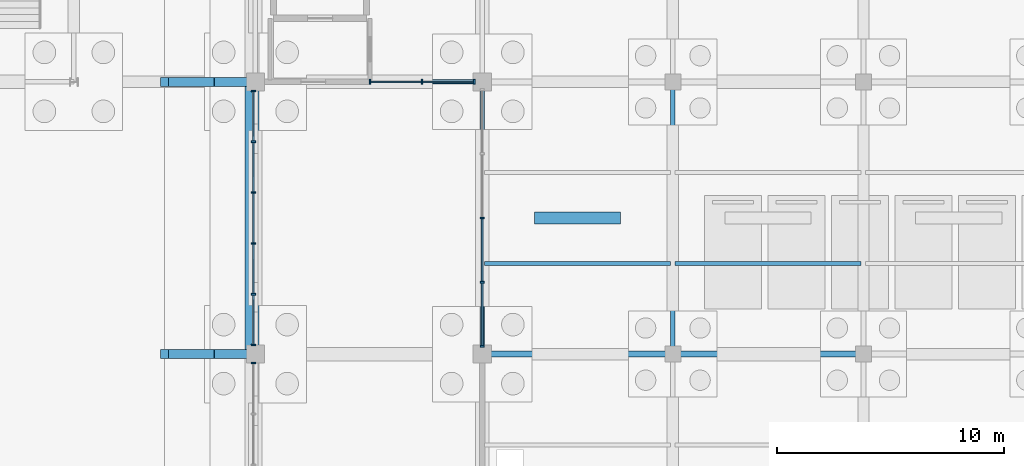
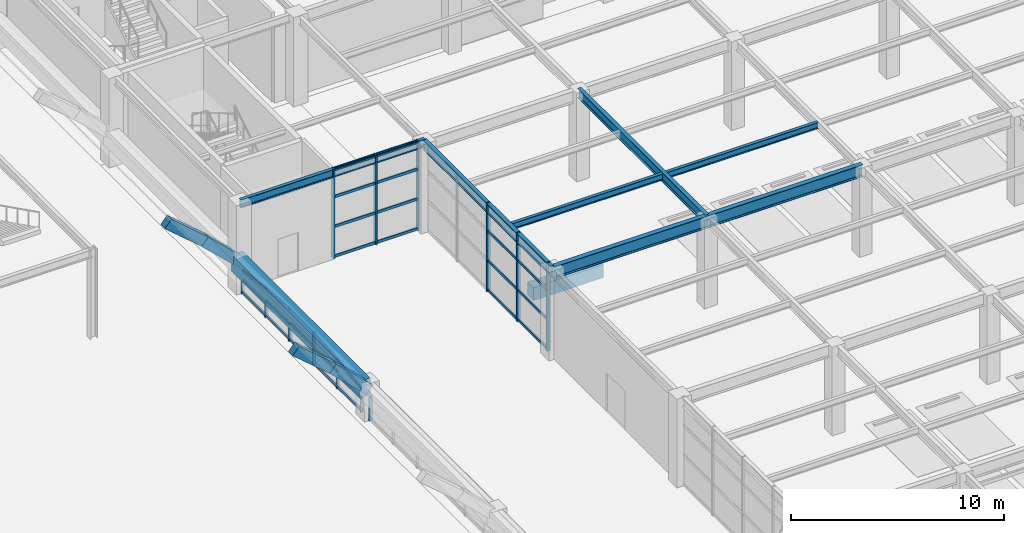
# One storey, part 58 of 129: 44 members, 13 beams, 4 elements without a shape of their own.
"""IFC4 building model written with IfcOpenShell, lengths in metres."""

from ifc_helpers import new_model, si_unit, direction, frame, origin, origin_2d, place, context, subcontext, project, spatial, rectangle, i_section, extrude, material, layer, layer_set, material_profile, profile_set, type_object, element, aggregate, save


model = new_model("IFC4")

# Units and contexts
model_context = context("Model", 3, precision=1e-05, world=origin(), true_north=direction((0.0, 1.0)))
body_context = subcontext(model_context, "Body", "Model", "MODEL_VIEW")
ifc_project = project(units=[si_unit("LENGTHUNIT", "METRE"), si_unit("AREAUNIT", "SQUARE_METRE"), si_unit("VOLUMEUNIT", "CUBIC_METRE"), si_unit("PLANEANGLEUNIT", "RADIAN"), si_unit("MASSUNIT", "GRAM", prefix="KILO")], contexts=[model_context])

# Site, building, storey
site_placement = place(None, origin())
site = spatial("IfcSite", under=ifc_project, at=site_placement, CompositionType="ELEMENT")
building_placement = place(site_placement, origin())
building = spatial("IfcBuilding", under=site, at=building_placement, Name="Sitalva Quay Ferry Terminal", CompositionType="ELEMENT")
storey_placement = place(building_placement, origin())
storey = spatial("IfcBuildingStorey", under=building, at=storey_placement, Name="L01", CompositionType="ELEMENT", Elevation=0.0)

# Beams
ifc_material_1 = material(Name="Concrete C40/50", Category="concrete")
ifc_material_profile_1 = material_profile(ifc_material_1, rectangle(XDim=0.39990234375, YDim=0.550048828125, at=origin_2d()), Name="RC400x550")
ifc_profile_set_1 = profile_set([ifc_material_profile_1], Name="Concrete C40/50")
beam_type_1 = type_object("IfcBeamType", Name="Beam_Arch_RC400x550", PredefinedType="BEAM", material=ifc_profile_set_1)
beam_1_placement = place(storey_placement, frame((70.0, 54.0, 5.219482421875), z_axis=(0.760297282494, 0.0, -0.649575278342), x_axis=(0.0, 1.0, 0.0)))
element("IfcBeam", 1, at=beam_1_placement, inside=storey, type_object=beam_type_1, Name="Vault V1 transverse arch rib 5.15", PredefinedType="BEAM", context=body_context, shape_type="SweptSolid", body=[
    extrude(rectangle(XDim=0.39990234375, YDim=0.550048828125, at=origin_2d()), origin(), (0.0, 0.0, 1.0), 2.630615234375),
])
beam_2_placement = place(storey_placement, frame((72.0, 54.0, 3.500732421875), z_axis=(0.725680279623, 0.0, -0.688032071757), x_axis=(0.0, 1.0, 0.0)))
element("IfcBeam", 2, at=beam_2_placement, inside=storey, type_object=beam_type_1, Name="Vault V1 transverse arch rib 5.16", PredefinedType="BEAM", context=body_context, shape_type="SweptSolid", body=[
    extrude(rectangle(XDim=0.39990234375, YDim=0.550048828125, at=origin_2d()), origin(), (0.0, 0.0, 1.0), 2.756103515625),
])
beam_3_placement = place(storey_placement, frame((70.0, 66.0, 5.219482421875), z_axis=(0.760297282494, 0.0, -0.649575278342), x_axis=(0.0, 1.0, 0.0)))
element("IfcBeam", 3, at=beam_3_placement, inside=storey, type_object=beam_type_1, Name="Vault V1 transverse arch rib 6.15", PredefinedType="BEAM", context=body_context, shape_type="SweptSolid", body=[
    extrude(rectangle(XDim=0.39990234375, YDim=0.550048828125, at=origin_2d()), origin(), (0.0, 0.0, 1.0), 2.630615234375),
])
beam_4_placement = place(storey_placement, frame((72.0, 66.0, 3.500732421875), z_axis=(0.725680279623, 0.0, -0.688032071757), x_axis=(0.0, 1.0, 0.0)))
element("IfcBeam", 4, at=beam_4_placement, inside=storey, type_object=beam_type_1, Name="Vault V1 transverse arch rib 6.16", PredefinedType="BEAM", context=body_context, shape_type="SweptSolid", body=[
    extrude(rectangle(XDim=0.39990234375, YDim=0.550048828125, at=origin_2d()), origin(), (0.0, 0.0, 1.0), 2.756103515625),
])
ifc_material_2 = material(Name="Concrete C40/50", Category="concrete")
ifc_material_profile_2 = material_profile(ifc_material_2, rectangle(XDim=0.60009765625, YDim=0.949951171875, at=origin_2d()), Name="RC600x950")
ifc_profile_set_2 = profile_set([ifc_material_profile_2], Name="Concrete C40/50")
beam_type_2 = type_object("IfcBeamType", Name="Beam_Edge_RC600x950", PredefinedType="BEAM", material=ifc_profile_set_2)
beam_5_placement = place(storey_placement, frame((73.85009765625, 54.0, 1.625), z_axis=(0.0, 1.0, 0.0), x_axis=(-1.0, 0.0, 0.0)))
element("IfcBeam", 5, at=beam_5_placement, inside=storey, type_object=beam_type_2, Name="Vault V1 longitudinal springing edge beam E bay 5", PredefinedType="BEAM", context=body_context, shape_type="SweptSolid", body=[
    extrude(rectangle(XDim=0.60009765625, YDim=0.949951171875, at=origin_2d()), origin(), (0.0, 0.0, 1.0), 12.0),
])
ifc_material_3 = material(Name="Structural Steel S355JR", Category="steel")
ifc_material_profile_3 = material_profile(ifc_material_3, i_section(OverallWidth=0.19091796875, OverallDepth=0.4599609375, WebThickness=0.010009765625, FlangeThickness=0.01611328125, FilletRadius=0.013916015625, at=origin_2d()), Name="W460x82")
ifc_profile_set_3 = profile_set([ifc_material_profile_3], Name="Structural Steel S355JR")
beam_type_3 = type_object("IfcBeamType", Name="Beam_W460x82", PredefinedType="BEAM", material=ifc_profile_set_3)
beam_6_placement = place(storey_placement, frame((74.0, 66.0, 4.889892578125), z_axis=(1.0, 0.0, 0.0), x_axis=(0.0, 1.0, 0.0)))
element("IfcBeam", 6, at=beam_6_placement, inside=storey, type_object=beam_type_3, Name="L01 Primary X girder 0182", PredefinedType="BEAM", context=body_context, shape_type="SweptSolid", body=[
    extrude(i_section(OverallWidth=0.19091796875, OverallDepth=0.4599609375, WebThickness=0.010009765625, FlangeThickness=0.01611328125, FilletRadius=0.013916015625, at=origin_2d()), origin(), (0.0, 0.0, 1.0), 10.0),
])
ifc_material_4 = material(Name="Structural Steel S355JR", Category="steel")
ifc_material_profile_4 = material_profile(ifc_material_4, i_section(OverallWidth=0.2119140625, OverallDepth=0.5439453125, WebThickness=0.01318359375, FlangeThickness=0.021240234375, FilletRadius=0.014892578125, at=origin_2d()), Name="W530x123")
ifc_profile_set_4 = profile_set([ifc_material_profile_4], Name="Structural Steel S355JR")
beam_type_4 = type_object("IfcBeamType", Name="Girder_W530x123", PredefinedType="USERDEFINED", material=ifc_profile_set_4)
for number, where, z_axis, x_axis, name in (
    (7, (84.0, 54.0, 4.80810546875), (0.0, 1.0, 0.0), (-1.0, 0.0, 0.0), "L01 Primary Y girder 0289"),
    (8, (92.39990234375, 54.0, 4.80810546875), (0.0, 1.0, 0.0), (-1.0, 0.0, 0.0), "L01 Primary Y girder 0293"),
):
    element("IfcBeam", number, at=place(storey_placement, frame(where, z_axis=z_axis, x_axis=x_axis)), inside=storey, type_object=beam_type_4, Name=name, ObjectType="GIRDER", PredefinedType="USERDEFINED", context=body_context, shape_type="SweptSolid", body=[
        extrude(i_section(OverallWidth=0.2119140625, OverallDepth=0.5439453125, WebThickness=0.01318359375, FlangeThickness=0.021240234375, FilletRadius=0.014892578125, at=origin_2d()), origin(), (0.0, 0.0, 1.0), 12.0),
    ])
ifc_material_5 = material(Name="Structural Steel S355JR", Category="steel")
ifc_material_profile_5 = material_profile(ifc_material_5, i_section(OverallWidth=0.256103515625, OverallDepth=0.693115234375, WebThickness=0.014404296875, FlangeThickness=0.023681640625, FilletRadius=0.01806640625, at=origin_2d()), Name="W690x170")
ifc_profile_set_5 = profile_set([ifc_material_profile_5], Name="Structural Steel S355JR")
beam_type_5 = type_object("IfcBeamType", Name="Girder_W690x170", PredefinedType="USERDEFINED", material=ifc_profile_set_5)
beam_7_placement = place(storey_placement, frame((84.0, 54.0, 4.7333984375), z_axis=(1.0, 0.0, 0.0), x_axis=(0.0, 1.0, 0.0)))
element("IfcBeam", 9, at=beam_7_placement, inside=storey, type_object=beam_type_5, Name="L01 Primary X girder 0257", ObjectType="GIRDER", PredefinedType="USERDEFINED", context=body_context, shape_type="SweptSolid", body=[
    extrude(i_section(OverallWidth=0.256103515625, OverallDepth=0.693115234375, WebThickness=0.014404296875, FlangeThickness=0.023681640625, FilletRadius=0.01806640625, at=origin_2d()), origin(), (0.0, 0.0, 1.0), 8.39990234375),
])
beam_8_placement = place(storey_placement, frame((92.39990234375, 54.0, 4.7333984375), z_axis=(1.0, 0.0, 0.0), x_axis=(0.0, 1.0, 0.0)))
element("IfcBeam", 10, at=beam_8_placement, inside=storey, type_object=beam_type_5, Name="L01 Primary X girder 0258", ObjectType="GIRDER", PredefinedType="USERDEFINED", context=body_context, shape_type="SweptSolid", body=[
    extrude(i_section(OverallWidth=0.256103515625, OverallDepth=0.693115234375, WebThickness=0.014404296875, FlangeThickness=0.023681640625, FilletRadius=0.01806640625, at=origin_2d()), origin(), (0.0, 0.0, 1.0), 8.400146484375),
])
ifc_material_6 = material(Name="Structural Steel S355JR", Category="steel")
ifc_material_profile_6 = material_profile(ifc_material_6, i_section(OverallWidth=0.172119140625, OverallDepth=0.35791015625, WebThickness=0.0078125, FlangeThickness=0.01318359375, FilletRadius=0.011962890625, at=origin_2d()), Name="W360x57")
ifc_profile_set_6 = profile_set([ifc_material_profile_6], Name="Structural Steel S355JR")
beam_type_6 = type_object("IfcBeamType", Name="Joist_W360x57", PredefinedType="JOIST", material=ifc_profile_set_6)
for number, where, z_axis, x_axis, name in (
    (11, (84.10009765625, 58.0, 4.90087890625), (1.0, 0.0, 0.0), (0.0, 1.0, 0.0), "L01 Secondary joist 0398"),
    (12, (92.5, 58.0, 4.90087890625), (1.0, 0.0, 0.0), (0.0, 1.0, 0.0), "L01 Secondary joist 0399"),
):
    element("IfcBeam", number, at=place(storey_placement, frame(where, z_axis=z_axis, x_axis=x_axis)), inside=storey, type_object=beam_type_6, Name=name, PredefinedType="JOIST", context=body_context, shape_type="SweptSolid", body=[
        extrude(i_section(OverallWidth=0.172119140625, OverallDepth=0.35791015625, WebThickness=0.0078125, FlangeThickness=0.01318359375, FilletRadius=0.011962890625, at=origin_2d()), origin(), (0.0, 0.0, 1.0), 8.199951171875),
    ])

# Curtain wall, member
ifc_material_7 = material(Name="Anodised Aluminium & Low-E Glazing", Category="aluminium")
ifc_layer_1 = layer(ifc_material_7, 0.159912109375)
ifc_layer_set_1 = layer_set([ifc_layer_1], Name="Anodised Aluminium & Low-E Glazing")
curtain_wall_type_1 = type_object("IfcCurtainWallType", Name="CW_VaultArch_Glazed", PredefinedType="USERDEFINED", material=ifc_layer_set_1)
curtain_wall_1_placement = place(storey_placement, origin())
curtain_wall_1 = element("IfcCurtainWall", 13, at=curtain_wall_1_placement, inside=storey, type_object=curtain_wall_type_1, Name="V1-E shallow-arch base glazing (CW-L01-031)", ObjectType="CURTAIN_WALL", PredefinedType="USERDEFINED")
ifc_material_8 = material(Name="Anodised Aluminium 6063-T6", Category="aluminium")
ifc_material_profile_7 = material_profile(ifc_material_8, rectangle(XDim=0.070068359375, YDim=0.181884765625, at=origin_2d()), Name="ALU70x182")
ifc_profile_set_7 = profile_set([ifc_material_profile_7], Name="Anodised Aluminium 6063-T6")
member_type_1 = type_object("IfcMemberType", Name="Mullion_Alu_65x170", PredefinedType="MULLION", material=ifc_profile_set_7)
member_1_placement = place(storey_placement, frame((73.919921875, 53.60009765625, 0.0), z_axis=(0.0, 0.0, 1.0), x_axis=(0.0, 1.0, 0.0)))
member_1 = element("IfcMember", 14, at=member_1_placement, type_object=member_type_1, Name="CW-L01-031-M5", PredefinedType="MULLION", context=body_context, shape_type="SweptSolid", body=[
    extrude(rectangle(XDim=0.070068359375, YDim=0.181884765625, at=origin_2d()), origin(), (0.0, 0.0, 1.0), 1.39990234375),
])
aggregate(curtain_wall_1, [member_1])

# Curtain wall, members
curtain_wall_2_placement = place(storey_placement, origin())
curtain_wall_2 = element("IfcCurtainWall", 15, at=curtain_wall_2_placement, inside=storey, type_object=curtain_wall_type_1, Name="V1-E shallow-arch base glazing (CW-L01-032)", ObjectType="CURTAIN_WALL", PredefinedType="USERDEFINED")
member_2_placement = place(storey_placement, frame((73.919921875, 54.39990234375, 0.0), z_axis=(0.0, 0.0, 1.0), x_axis=(0.0, 1.0, 0.0)))
member_2 = element("IfcMember", 16, at=member_2_placement, type_object=member_type_1, Name="CW-L01-032-M0", PredefinedType="MULLION", context=body_context, shape_type="SweptSolid", body=[
    extrude(rectangle(XDim=0.070068359375, YDim=0.181884765625, at=origin_2d()), origin(), (0.0, 0.0, 1.0), 1.39990234375),
])
member_3_placement = place(storey_placement, frame((73.919921875, 56.639892578125, 0.0), z_axis=(0.0, 0.0, 1.0), x_axis=(0.0, 1.0, 0.0)))
member_3 = element("IfcMember", 17, at=member_3_placement, type_object=member_type_1, Name="CW-L01-032-M1", PredefinedType="MULLION", context=body_context, shape_type="SweptSolid", body=[
    extrude(rectangle(XDim=0.070068359375, YDim=0.181884765625, at=origin_2d()), origin(), (0.0, 0.0, 1.0), 1.707275390625),
])
member_4_placement = place(storey_placement, frame((73.919921875, 58.8798828125, 0.0), z_axis=(0.0, 0.0, 1.0), x_axis=(0.0, 1.0, 0.0)))
member_4 = element("IfcMember", 18, at=member_4_placement, type_object=member_type_1, Name="CW-L01-032-M2", PredefinedType="MULLION", context=body_context, shape_type="SweptSolid", body=[
    extrude(rectangle(XDim=0.070068359375, YDim=0.181884765625, at=origin_2d()), origin(), (0.0, 0.0, 1.0), 1.86083984375),
])
member_5_placement = place(storey_placement, frame((73.919921875, 61.1201171875, 0.0), z_axis=(0.0, 0.0, 1.0), x_axis=(0.0, 1.0, 0.0)))
member_5 = element("IfcMember", 19, at=member_5_placement, type_object=member_type_1, Name="CW-L01-032-M3", PredefinedType="MULLION", context=body_context, shape_type="SweptSolid", body=[
    extrude(rectangle(XDim=0.070068359375, YDim=0.181884765625, at=origin_2d()), origin(), (0.0, 0.0, 1.0), 1.86083984375),
])
member_6_placement = place(storey_placement, frame((73.919921875, 63.360107421875, 0.0), z_axis=(0.0, 0.0, 1.0), x_axis=(0.0, 1.0, 0.0)))
member_6 = element("IfcMember", 20, at=member_6_placement, type_object=member_type_1, Name="CW-L01-032-M4", PredefinedType="MULLION", context=body_context, shape_type="SweptSolid", body=[
    extrude(rectangle(XDim=0.070068359375, YDim=0.181884765625, at=origin_2d()), origin(), (0.0, 0.0, 1.0), 1.707275390625),
])
member_7_placement = place(storey_placement, frame((73.919921875, 65.60009765625, 0.0), z_axis=(0.0, 0.0, 1.0), x_axis=(0.0, 1.0, 0.0)))
member_7 = element("IfcMember", 21, at=member_7_placement, type_object=member_type_1, Name="CW-L01-032-M5", PredefinedType="MULLION", context=body_context, shape_type="SweptSolid", body=[
    extrude(rectangle(XDim=0.070068359375, YDim=0.181884765625, at=origin_2d()), origin(), (0.0, 0.0, 1.0), 1.39990234375),
])

ifc_material_9 = material(Name="Anodised Aluminium & Low-E Glazing", Category="aluminium")
ifc_layer_2 = layer(ifc_material_9, 0.159912109375)
ifc_layer_set_2 = layer_set([ifc_layer_2], Name="Anodised Aluminium & Low-E Glazing")
curtain_wall_type_2 = type_object("IfcCurtainWallType", Name="CW_Podium_Stick", PredefinedType="USERDEFINED", material=ifc_layer_set_2)
curtain_wall_3_placement = place(storey_placement, origin())
curtain_wall_3 = element("IfcCurtainWall", 22, at=curtain_wall_3_placement, inside=storey, type_object=curtain_wall_type_2, Name="L01 east monsoon court north glazing (CW-L01-075)", ObjectType="CURTAIN_WALL", PredefinedType="USERDEFINED")
ifc_material_10 = material(Name="Anodised Aluminium 6063-T6", Category="aluminium")
ifc_material_profile_8 = material_profile(ifc_material_10, rectangle(XDim=0.074951171875, YDim=0.219970703125, at=origin_2d()), Name="ALU75x220")
ifc_profile_set_8 = profile_set([ifc_material_profile_8], Name="Anodised Aluminium 6063-T6")
member_type_2 = type_object("IfcMemberType", Name="Mullion_Alu_75x160", PredefinedType="MULLION", material=ifc_profile_set_8)
member_8_placement = place(storey_placement, frame((79.050048828125, 66.0, 0.0), z_axis=(0.0, 0.0, 1.0), x_axis=(1.0, 0.0, 0.0)))
member_8 = element("IfcMember", 23, at=member_8_placement, type_object=member_type_2, Name="CW-L01-075-M0", PredefinedType="MULLION", context=body_context, shape_type="SweptSolid", body=[
    extrude(rectangle(XDim=0.074951171875, YDim=0.219970703125, at=origin_2d()), origin(), (0.0, 0.0, 1.0), 5.1201171875),
])
member_9_placement = place(storey_placement, frame((81.35009765625, 66.0, 0.0), z_axis=(0.0, 0.0, 1.0), x_axis=(1.0, 0.0, 0.0)))
member_9 = element("IfcMember", 24, at=member_9_placement, type_object=member_type_2, Name="CW-L01-075-M1", PredefinedType="MULLION", context=body_context, shape_type="SweptSolid", body=[
    extrude(rectangle(XDim=0.074951171875, YDim=0.219970703125, at=origin_2d()), origin(), (0.0, 0.0, 1.0), 5.1201171875),
])
member_10_placement = place(storey_placement, frame((83.64990234375, 66.0, 0.0), z_axis=(0.0, 0.0, 1.0), x_axis=(1.0, 0.0, 0.0)))
member_10 = element("IfcMember", 25, at=member_10_placement, type_object=member_type_2, Name="CW-L01-075-M2", PredefinedType="MULLION", context=body_context, shape_type="SweptSolid", body=[
    extrude(rectangle(XDim=0.074951171875, YDim=0.219970703125, at=origin_2d()), origin(), (0.0, 0.0, 1.0), 5.1201171875),
])

ifc_material_11 = material(Name="Anodised Aluminium & Low-E Glazing", Category="aluminium")
ifc_layer_3 = layer(ifc_material_11, 0.159912109375)
ifc_layer_set_3 = layer_set([ifc_layer_3], Name="Anodised Aluminium & Low-E Glazing")
curtain_wall_type_3 = type_object("IfcCurtainWallType", Name="CW_Coastal_Louvred", PredefinedType="USERDEFINED", material=ifc_layer_set_3)
curtain_wall_4_placement = place(storey_placement, origin())
curtain_wall_4 = element("IfcCurtainWall", 26, at=curtain_wall_4_placement, inside=storey, type_object=curtain_wall_type_3, Name="L01 east court louvred wall (CW-L01-077)", ObjectType="CURTAIN_WALL", PredefinedType="USERDEFINED")
ifc_material_12 = material(Name="Anodised Aluminium 6063-T6", Category="aluminium")
ifc_material_profile_9 = material_profile(ifc_material_12, rectangle(XDim=0.080078125, YDim=0.18505859375, at=origin_2d()), Name="ALU80x185")
ifc_profile_set_9 = profile_set([ifc_material_profile_9], Name="Anodised Aluminium 6063-T6")
member_type_3 = type_object("IfcMemberType", Name="Mullion_Alu_80x185", PredefinedType="MULLION", material=ifc_profile_set_9)
member_11_placement = place(storey_placement, frame((84.0, 54.35009765625, 0.0), z_axis=(0.0, 0.0, 1.0), x_axis=(0.0, 1.0, 0.0)))
member_11 = element("IfcMember", 27, at=member_11_placement, type_object=member_type_3, Name="CW-L01-077-M0", PredefinedType="MULLION", context=body_context, shape_type="SweptSolid", body=[
    extrude(rectangle(XDim=0.080078125, YDim=0.18505859375, at=origin_2d()), origin(), (0.0, 0.0, 1.0), 5.080078125),
])
member_12_placement = place(storey_placement, frame((84.0, 57.175048828125, 0.0), z_axis=(0.0, 0.0, 1.0), x_axis=(0.0, 1.0, 0.0)))
member_12 = element("IfcMember", 28, at=member_12_placement, type_object=member_type_3, Name="CW-L01-077-M1", PredefinedType="MULLION", context=body_context, shape_type="SweptSolid", body=[
    extrude(rectangle(XDim=0.080078125, YDim=0.18505859375, at=origin_2d()), origin(), (0.0, 0.0, 1.0), 5.080078125),
])
member_13_placement = place(storey_placement, frame((84.0, 60.0, 0.0), z_axis=(0.0, 0.0, 1.0), x_axis=(0.0, 1.0, 0.0)))
member_13 = element("IfcMember", 29, at=member_13_placement, type_object=member_type_3, Name="CW-L01-077-M2", PredefinedType="MULLION", context=body_context, shape_type="SweptSolid", body=[
    extrude(rectangle(XDim=0.080078125, YDim=0.18505859375, at=origin_2d()), origin(), (0.0, 0.0, 1.0), 5.080078125),
])

# Beam
ifc_material_13 = material(Name="Concrete C35/45", Category="concrete")
ifc_material_profile_10 = material_profile(ifc_material_13, rectangle(XDim=0.550048828125, YDim=0.75, at=origin_2d()), Name="RC550x750")
ifc_profile_set_10 = profile_set([ifc_material_profile_10], Name="Concrete C35/45")
beam_type_7 = type_object("IfcBeamType", Name="TBeam_Quay_RC550x750", PredefinedType="T_BEAM", material=ifc_profile_set_10)
beam_9_placement = place(storey_placement, frame((86.300048828125, 60.0, -0.824951171875), z_axis=(1.0, 0.0, 0.0), x_axis=(0.0, 1.0, 0.0)))
element("IfcBeam", 30, at=beam_9_placement, inside=storey, type_object=beam_type_7, Name="L01 Ro-Ro quay deck T-beam 0089", PredefinedType="T_BEAM", context=body_context, shape_type="SweptSolid", body=[
    extrude(rectangle(XDim=0.550048828125, YDim=0.75, at=origin_2d()), origin(), (0.0, 0.0, 1.0), 3.800048828125),
])

# Member
ifc_material_14 = material(Name="Anodised Aluminium 6063-T6", Category="aluminium")
ifc_material_profile_11 = material_profile(ifc_material_14, rectangle(XDim=0.074951171875, YDim=0.155029296875, at=origin_2d()), Name="ALU75x155")
ifc_profile_set_11 = profile_set([ifc_material_profile_11], Name="Anodised Aluminium 6063-T6")
member_type_4 = type_object("IfcMemberType", Name="Transom_Alu_70x135", PredefinedType="MULLION", material=ifc_profile_set_11)
member_14_placement = place(storey_placement, frame((73.919921875, 54.43505859375, 0.077392578125), z_axis=(0.0, 1.0, 0.0), x_axis=(-1.0, 0.0, 0.0)))
member_14 = element("IfcMember", 31, at=member_14_placement, type_object=member_type_4, Name="CW-L01-032-T0-0", ObjectType="TRANSOM", PredefinedType="USERDEFINED", context=body_context, shape_type="SweptSolid", body=[
    extrude(rectangle(XDim=0.074951171875, YDim=0.155029296875, at=origin_2d()), origin(), (0.0, 0.0, 1.0), 2.169921875),
])

member_15_placement = place(storey_placement, frame((73.919921875, 54.43505859375, 0.777587890625), z_axis=(0.0, 1.0, 0.0), x_axis=(-1.0, 0.0, 0.0)))
member_15 = element("IfcMember", 32, at=member_15_placement, type_object=member_type_4, Name="CW-L01-032-T0-1", ObjectType="TRANSOM", PredefinedType="USERDEFINED", context=body_context, shape_type="SweptSolid", body=[
    extrude(rectangle(XDim=0.074951171875, YDim=0.155029296875, at=origin_2d()), origin(), (0.0, 0.0, 1.0), 2.169921875),
])

member_16_placement = place(storey_placement, frame((73.919921875, 54.43505859375, 1.322509765625), z_axis=(0.0, 0.990131365095, 0.140142355681), x_axis=(-1.0, 0.0, 0.0)))
member_16 = element("IfcMember", 33, at=member_16_placement, type_object=member_type_4, Name="CW-L01-032-T0-2", ObjectType="TRANSOM", PredefinedType="USERDEFINED", context=body_context, shape_type="SweptSolid", body=[
    extrude(rectangle(XDim=0.074951171875, YDim=0.155029296875, at=origin_2d()), origin(), (0.0, 0.0, 1.0), 2.191650390625),
])

member_17_placement = place(storey_placement, frame((73.919921875, 56.675048828125, 0.077392578125), z_axis=(0.0, 1.0, 0.0), x_axis=(-1.0, 0.0, 0.0)))
member_17 = element("IfcMember", 34, at=member_17_placement, type_object=member_type_4, Name="CW-L01-032-T1-0", ObjectType="TRANSOM", PredefinedType="USERDEFINED", context=body_context, shape_type="SweptSolid", body=[
    extrude(rectangle(XDim=0.074951171875, YDim=0.155029296875, at=origin_2d()), origin(), (0.0, 0.0, 1.0), 2.169921875),
])

member_18_placement = place(storey_placement, frame((73.919921875, 56.675048828125, 0.93115234375), z_axis=(0.0, 1.0, 0.0), x_axis=(-1.0, 0.0, 0.0)))
member_18 = element("IfcMember", 35, at=member_18_placement, type_object=member_type_4, Name="CW-L01-032-T1-1", ObjectType="TRANSOM", PredefinedType="USERDEFINED", context=body_context, shape_type="SweptSolid", body=[
    extrude(rectangle(XDim=0.074951171875, YDim=0.155029296875, at=origin_2d()), origin(), (0.0, 0.0, 1.0), 2.169921875),
])

member_19_placement = place(storey_placement, frame((73.919921875, 56.675048828125, 1.629638671875), z_axis=(0.0, 0.997505200677, 0.070593021065), x_axis=(-1.0, 0.0, 0.0)))
member_19 = element("IfcMember", 36, at=member_19_placement, type_object=member_type_4, Name="CW-L01-032-T1-2", ObjectType="TRANSOM", PredefinedType="USERDEFINED", context=body_context, shape_type="SweptSolid", body=[
    extrude(rectangle(XDim=0.074951171875, YDim=0.155029296875, at=origin_2d()), origin(), (0.0, 0.0, 1.0), 2.17529296875),
])

member_20_placement = place(storey_placement, frame((73.919921875, 58.9150390625, 0.077392578125), z_axis=(0.0, 1.0, 0.0), x_axis=(-1.0, 0.0, 0.0)))
member_20 = element("IfcMember", 37, at=member_20_placement, type_object=member_type_4, Name="CW-L01-032-T2-0", ObjectType="TRANSOM", PredefinedType="USERDEFINED", context=body_context, shape_type="SweptSolid", body=[
    extrude(rectangle(XDim=0.074951171875, YDim=0.155029296875, at=origin_2d()), origin(), (0.0, 0.0, 1.0), 2.169921875),
])

member_21_placement = place(storey_placement, frame((73.919921875, 58.9150390625, 1.0078125), z_axis=(0.0, 1.0, 0.0), x_axis=(-1.0, 0.0, 0.0)))
member_21 = element("IfcMember", 38, at=member_21_placement, type_object=member_type_4, Name="CW-L01-032-T2-1", ObjectType="TRANSOM", PredefinedType="USERDEFINED", context=body_context, shape_type="SweptSolid", body=[
    extrude(rectangle(XDim=0.074951171875, YDim=0.155029296875, at=origin_2d()), origin(), (0.0, 0.0, 1.0), 2.169921875),
])

member_22_placement = place(storey_placement, frame((73.919921875, 58.9150390625, 1.783203125), z_axis=(0.0, 1.0, 0.0), x_axis=(-1.0, 0.0, 0.0)))
member_22 = element("IfcMember", 39, at=member_22_placement, type_object=member_type_4, Name="CW-L01-032-T2-2", ObjectType="TRANSOM", PredefinedType="USERDEFINED", context=body_context, shape_type="SweptSolid", body=[
    extrude(rectangle(XDim=0.074951171875, YDim=0.155029296875, at=origin_2d()), origin(), (0.0, 0.0, 1.0), 2.169921875),
])

member_23_placement = place(storey_placement, frame((73.919921875, 61.155029296875, 0.077392578125), z_axis=(0.0, 1.0, 0.0), x_axis=(-1.0, 0.0, 0.0)))
member_23 = element("IfcMember", 40, at=member_23_placement, type_object=member_type_4, Name="CW-L01-032-T3-0", ObjectType="TRANSOM", PredefinedType="USERDEFINED", context=body_context, shape_type="SweptSolid", body=[
    extrude(rectangle(XDim=0.074951171875, YDim=0.155029296875, at=origin_2d()), origin(), (0.0, 0.0, 1.0), 2.169921875),
])

member_24_placement = place(storey_placement, frame((73.919921875, 61.155029296875, 0.93115234375), z_axis=(0.0, 1.0, 0.0), x_axis=(-1.0, 0.0, 0.0)))
member_24 = element("IfcMember", 41, at=member_24_placement, type_object=member_type_4, Name="CW-L01-032-T3-1", ObjectType="TRANSOM", PredefinedType="USERDEFINED", context=body_context, shape_type="SweptSolid", body=[
    extrude(rectangle(XDim=0.074951171875, YDim=0.155029296875, at=origin_2d()), origin(), (0.0, 0.0, 1.0), 2.169921875),
])

member_25_placement = place(storey_placement, frame((73.919921875, 61.155029296875, 1.783203125), z_axis=(0.0, 0.997505200677, -0.070593021065), x_axis=(-1.0, 0.0, 0.0)))
member_25 = element("IfcMember", 42, at=member_25_placement, type_object=member_type_4, Name="CW-L01-032-T3-2", ObjectType="TRANSOM", PredefinedType="USERDEFINED", context=body_context, shape_type="SweptSolid", body=[
    extrude(rectangle(XDim=0.074951171875, YDim=0.155029296875, at=origin_2d()), origin(), (0.0, 0.0, 1.0), 2.17529296875),
])

member_26_placement = place(storey_placement, frame((73.919921875, 63.39501953125, 0.077392578125), z_axis=(0.0, 1.0, 0.0), x_axis=(-1.0, 0.0, 0.0)))
member_26 = element("IfcMember", 43, at=member_26_placement, type_object=member_type_4, Name="CW-L01-032-T4-0", ObjectType="TRANSOM", PredefinedType="USERDEFINED", context=body_context, shape_type="SweptSolid", body=[
    extrude(rectangle(XDim=0.074951171875, YDim=0.155029296875, at=origin_2d()), origin(), (0.0, 0.0, 1.0), 2.169921875),
])

member_27_placement = place(storey_placement, frame((73.919921875, 63.39501953125, 0.777587890625), z_axis=(0.0, 1.0, 0.0), x_axis=(-1.0, 0.0, 0.0)))
member_27 = element("IfcMember", 44, at=member_27_placement, type_object=member_type_4, Name="CW-L01-032-T4-1", ObjectType="TRANSOM", PredefinedType="USERDEFINED", context=body_context, shape_type="SweptSolid", body=[
    extrude(rectangle(XDim=0.074951171875, YDim=0.155029296875, at=origin_2d()), origin(), (0.0, 0.0, 1.0), 2.169921875),
])

member_28_placement = place(storey_placement, frame((73.919921875, 63.39501953125, 1.629638671875), z_axis=(0.0, 0.990131365095, -0.140142355681), x_axis=(-1.0, 0.0, 0.0)))
member_28 = element("IfcMember", 45, at=member_28_placement, type_object=member_type_4, Name="CW-L01-032-T4-2", ObjectType="TRANSOM", PredefinedType="USERDEFINED", context=body_context, shape_type="SweptSolid", body=[
    extrude(rectangle(XDim=0.074951171875, YDim=0.155029296875, at=origin_2d()), origin(), (0.0, 0.0, 1.0), 2.191650390625),
])

aggregate(curtain_wall_2, [member_2, member_3, member_4, member_5, member_6, member_7, member_14, member_15, member_16, member_17, member_18, member_19, member_20, member_21, member_22, member_23, member_24, member_25, member_26, member_27, member_28])

member_29_placement = place(storey_placement, frame((79.08740234375, 66.0, 0.077392578125), z_axis=(1.0, 0.0, 0.0), x_axis=(0.0, 1.0, 0.0)))
member_29 = element("IfcMember", 46, at=member_29_placement, type_object=member_type_4, Name="CW-L01-075-T0-0", ObjectType="TRANSOM", PredefinedType="USERDEFINED", context=body_context, shape_type="SweptSolid", body=[
    extrude(rectangle(XDim=0.074951171875, YDim=0.155029296875, at=origin_2d()), origin(), (0.0, 0.0, 1.0), 2.22509765625),
])

member_30_placement = place(storey_placement, frame((79.08740234375, 66.0, 1.7841796875), z_axis=(1.0, 0.0, 0.0), x_axis=(0.0, 1.0, 0.0)))
member_30 = element("IfcMember", 47, at=member_30_placement, type_object=member_type_4, Name="CW-L01-075-T0-1", ObjectType="TRANSOM", PredefinedType="USERDEFINED", context=body_context, shape_type="SweptSolid", body=[
    extrude(rectangle(XDim=0.074951171875, YDim=0.155029296875, at=origin_2d()), origin(), (0.0, 0.0, 1.0), 2.22509765625),
])

member_31_placement = place(storey_placement, frame((79.08740234375, 66.0, 3.49072265625), z_axis=(1.0, 0.0, 0.0), x_axis=(0.0, 1.0, 0.0)))
member_31 = element("IfcMember", 48, at=member_31_placement, type_object=member_type_4, Name="CW-L01-075-T0-2", ObjectType="TRANSOM", PredefinedType="USERDEFINED", context=body_context, shape_type="SweptSolid", body=[
    extrude(rectangle(XDim=0.074951171875, YDim=0.155029296875, at=origin_2d()), origin(), (0.0, 0.0, 1.0), 2.22509765625),
])

member_32_placement = place(storey_placement, frame((79.08740234375, 66.0, 5.04248046875), z_axis=(1.0, 0.0, 0.0), x_axis=(0.0, 1.0, 0.0)))
member_32 = element("IfcMember", 49, at=member_32_placement, type_object=member_type_4, Name="CW-L01-075-T0-3", ObjectType="TRANSOM", PredefinedType="USERDEFINED", context=body_context, shape_type="SweptSolid", body=[
    extrude(rectangle(XDim=0.074951171875, YDim=0.155029296875, at=origin_2d()), origin(), (0.0, 0.0, 1.0), 2.22509765625),
])

member_33_placement = place(storey_placement, frame((81.387451171875, 66.0, 0.077392578125), z_axis=(1.0, 0.0, 0.0), x_axis=(0.0, 1.0, 0.0)))
member_33 = element("IfcMember", 50, at=member_33_placement, type_object=member_type_4, Name="CW-L01-075-T1-0", ObjectType="TRANSOM", PredefinedType="USERDEFINED", context=body_context, shape_type="SweptSolid", body=[
    extrude(rectangle(XDim=0.074951171875, YDim=0.155029296875, at=origin_2d()), origin(), (0.0, 0.0, 1.0), 2.22509765625),
])

member_34_placement = place(storey_placement, frame((81.387451171875, 66.0, 1.7841796875), z_axis=(1.0, 0.0, 0.0), x_axis=(0.0, 1.0, 0.0)))
member_34 = element("IfcMember", 51, at=member_34_placement, type_object=member_type_4, Name="CW-L01-075-T1-1", ObjectType="TRANSOM", PredefinedType="USERDEFINED", context=body_context, shape_type="SweptSolid", body=[
    extrude(rectangle(XDim=0.074951171875, YDim=0.155029296875, at=origin_2d()), origin(), (0.0, 0.0, 1.0), 2.22509765625),
])

member_35_placement = place(storey_placement, frame((81.387451171875, 66.0, 3.49072265625), z_axis=(1.0, 0.0, 0.0), x_axis=(0.0, 1.0, 0.0)))
member_35 = element("IfcMember", 52, at=member_35_placement, type_object=member_type_4, Name="CW-L01-075-T1-2", ObjectType="TRANSOM", PredefinedType="USERDEFINED", context=body_context, shape_type="SweptSolid", body=[
    extrude(rectangle(XDim=0.074951171875, YDim=0.155029296875, at=origin_2d()), origin(), (0.0, 0.0, 1.0), 2.22509765625),
])

member_36_placement = place(storey_placement, frame((81.387451171875, 66.0, 5.04248046875), z_axis=(1.0, 0.0, 0.0), x_axis=(0.0, 1.0, 0.0)))
member_36 = element("IfcMember", 53, at=member_36_placement, type_object=member_type_4, Name="CW-L01-075-T1-3", ObjectType="TRANSOM", PredefinedType="USERDEFINED", context=body_context, shape_type="SweptSolid", body=[
    extrude(rectangle(XDim=0.074951171875, YDim=0.155029296875, at=origin_2d()), origin(), (0.0, 0.0, 1.0), 2.22509765625),
])

aggregate(curtain_wall_3, [member_8, member_9, member_10, member_29, member_30, member_31, member_32, member_33, member_34, member_35, member_36])

ifc_material_15 = material(Name="Anodised Aluminium 6063-T6", Category="aluminium")
ifc_material_profile_12 = material_profile(ifc_material_15, rectangle(XDim=0.074951171875, YDim=0.14990234375, at=origin_2d()), Name="ALU75x150")
ifc_profile_set_12 = profile_set([ifc_material_profile_12], Name="Anodised Aluminium 6063-T6")
member_type_5 = type_object("IfcMemberType", Name="Transom_Alu_75x140", PredefinedType="MULLION", material=ifc_profile_set_12)
member_37_placement = place(storey_placement, frame((84.0, 54.389892578125, 0.074951171875), z_axis=(0.0, 1.0, 0.0), x_axis=(-1.0, 0.0, 0.0)))
member_37 = element("IfcMember", 54, at=member_37_placement, type_object=member_type_5, Name="CW-L01-077-T0-0", ObjectType="TRANSOM", PredefinedType="USERDEFINED", context=body_context, shape_type="SweptSolid", body=[
    extrude(rectangle(XDim=0.074951171875, YDim=0.14990234375, at=origin_2d()), origin(), (0.0, 0.0, 1.0), 2.7451171875),
])

member_38_placement = place(storey_placement, frame((84.0, 54.389892578125, 1.768310546875), z_axis=(0.0, 1.0, 0.0), x_axis=(-1.0, 0.0, 0.0)))
member_38 = element("IfcMember", 55, at=member_38_placement, type_object=member_type_5, Name="CW-L01-077-T0-1", ObjectType="TRANSOM", PredefinedType="USERDEFINED", context=body_context, shape_type="SweptSolid", body=[
    extrude(rectangle(XDim=0.074951171875, YDim=0.14990234375, at=origin_2d()), origin(), (0.0, 0.0, 1.0), 2.7451171875),
])

member_39_placement = place(storey_placement, frame((84.0, 54.389892578125, 3.461669921875), z_axis=(0.0, 1.0, 0.0), x_axis=(-1.0, 0.0, 0.0)))
member_39 = element("IfcMember", 56, at=member_39_placement, type_object=member_type_5, Name="CW-L01-077-T0-2", ObjectType="TRANSOM", PredefinedType="USERDEFINED", context=body_context, shape_type="SweptSolid", body=[
    extrude(rectangle(XDim=0.074951171875, YDim=0.14990234375, at=origin_2d()), origin(), (0.0, 0.0, 1.0), 2.7451171875),
])

member_40_placement = place(storey_placement, frame((84.0, 54.389892578125, 5.0048828125), z_axis=(0.0, 1.0, 0.0), x_axis=(-1.0, 0.0, 0.0)))
member_40 = element("IfcMember", 57, at=member_40_placement, type_object=member_type_5, Name="CW-L01-077-T0-3", ObjectType="TRANSOM", PredefinedType="USERDEFINED", context=body_context, shape_type="SweptSolid", body=[
    extrude(rectangle(XDim=0.074951171875, YDim=0.14990234375, at=origin_2d()), origin(), (0.0, 0.0, 1.0), 2.7451171875),
])

member_41_placement = place(storey_placement, frame((84.0, 57.215087890625, 0.074951171875), z_axis=(0.0, 1.0, 0.0), x_axis=(-1.0, 0.0, 0.0)))
member_41 = element("IfcMember", 58, at=member_41_placement, type_object=member_type_5, Name="CW-L01-077-T1-0", ObjectType="TRANSOM", PredefinedType="USERDEFINED", context=body_context, shape_type="SweptSolid", body=[
    extrude(rectangle(XDim=0.074951171875, YDim=0.14990234375, at=origin_2d()), origin(), (0.0, 0.0, 1.0), 2.744873046875),
])

member_42_placement = place(storey_placement, frame((84.0, 57.215087890625, 1.768310546875), z_axis=(0.0, 1.0, 0.0), x_axis=(-1.0, 0.0, 0.0)))
member_42 = element("IfcMember", 59, at=member_42_placement, type_object=member_type_5, Name="CW-L01-077-T1-1", ObjectType="TRANSOM", PredefinedType="USERDEFINED", context=body_context, shape_type="SweptSolid", body=[
    extrude(rectangle(XDim=0.074951171875, YDim=0.14990234375, at=origin_2d()), origin(), (0.0, 0.0, 1.0), 2.744873046875),
])

member_43_placement = place(storey_placement, frame((84.0, 57.215087890625, 3.461669921875), z_axis=(0.0, 1.0, 0.0), x_axis=(-1.0, 0.0, 0.0)))
member_43 = element("IfcMember", 60, at=member_43_placement, type_object=member_type_5, Name="CW-L01-077-T1-2", ObjectType="TRANSOM", PredefinedType="USERDEFINED", context=body_context, shape_type="SweptSolid", body=[
    extrude(rectangle(XDim=0.074951171875, YDim=0.14990234375, at=origin_2d()), origin(), (0.0, 0.0, 1.0), 2.744873046875),
])

member_44_placement = place(storey_placement, frame((84.0, 57.215087890625, 5.0048828125), z_axis=(0.0, 1.0, 0.0), x_axis=(-1.0, 0.0, 0.0)))
member_44 = element("IfcMember", 61, at=member_44_placement, type_object=member_type_5, Name="CW-L01-077-T1-3", ObjectType="TRANSOM", PredefinedType="USERDEFINED", context=body_context, shape_type="SweptSolid", body=[
    extrude(rectangle(XDim=0.074951171875, YDim=0.14990234375, at=origin_2d()), origin(), (0.0, 0.0, 1.0), 2.744873046875),
])

aggregate(curtain_wall_4, [member_11, member_12, member_13, member_37, member_38, member_39, member_40, member_41, member_42, member_43, member_44])

save(model, "model.ifc")
